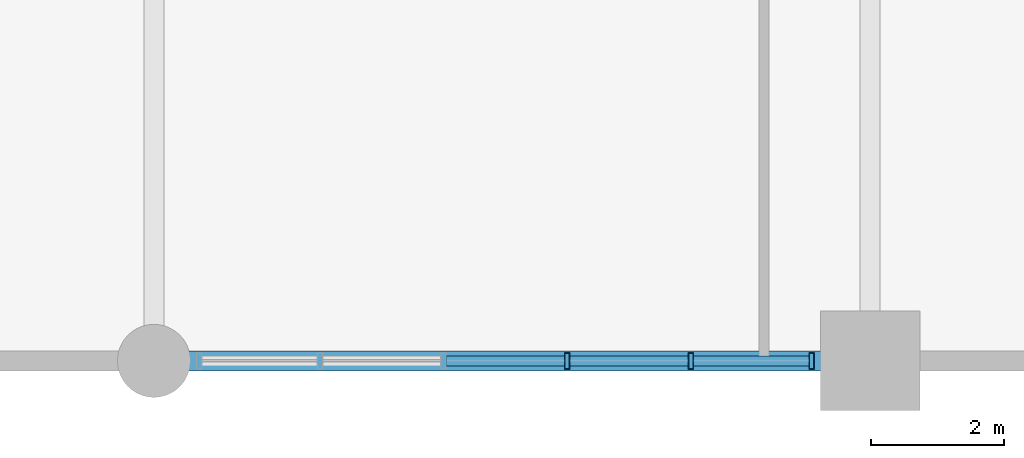
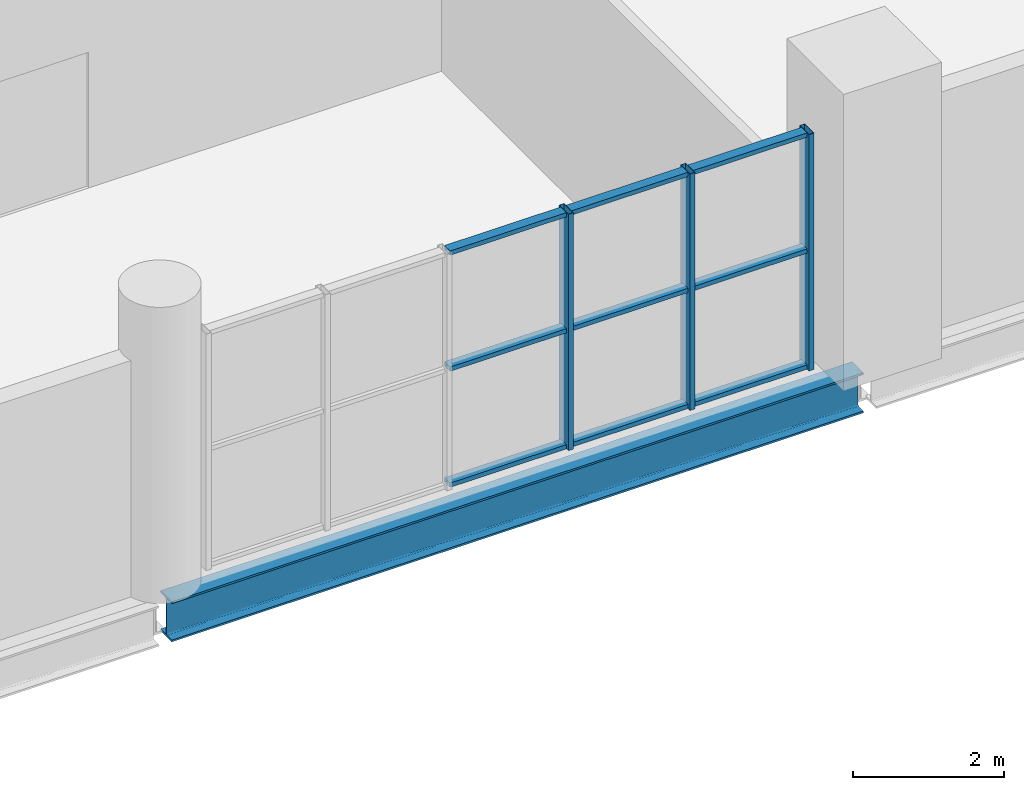
# One storey, part 7 of 16: 12 members, 1 beam, 1 element without a shape of its own.
"""IFC4 building model written with IfcOpenShell, lengths in metres."""

from ifc_helpers import new_model, si_unit, direction, frame, origin, origin_2d, place, context, subcontext, project, spatial, hollow_rectangle, i_section, extrude, material, layer, layer_set, material_profile, profile_set, type_object, element, aggregate, save


model = new_model("IFC4")

# Units and contexts
model_context = context("Model", 3, precision=1e-05, world=origin(), true_north=direction((0.0, 1.0)))
body_context = subcontext(model_context, "Body", "Model", "MODEL_VIEW")
ifc_project = project(units=[si_unit("LENGTHUNIT", "METRE"), si_unit("AREAUNIT", "SQUARE_METRE"), si_unit("VOLUMEUNIT", "CUBIC_METRE"), si_unit("PLANEANGLEUNIT", "RADIAN"), si_unit("MASSUNIT", "GRAM", prefix="KILO")], contexts=[model_context])

# Site, building, storey
site_placement = place(None, origin())
site = spatial("IfcSite", under=ifc_project, at=site_placement, CompositionType="ELEMENT")
building_placement = place(site_placement, origin())
building = spatial("IfcBuilding", under=site, at=building_placement, Name="Solnavia Interchange Tower", CompositionType="ELEMENT")
storey_placement = place(building_placement, frame((0.0, 0.0, 5.39990234375)))
storey = spatial("IfcBuildingStorey", under=building, at=storey_placement, Name="L01", CompositionType="ELEMENT", Elevation=5.39990234375)

# Beam
ifc_material_1 = material(Name="Steel S460", Category="steel")
ifc_material_profile_1 = material_profile(ifc_material_1, i_section(OverallWidth=0.300048828125, OverallDepth=0.64990234375, WebThickness=0.01611328125, FlangeThickness=0.031005859375, FilletRadius=0.027099609375, at=origin_2d()), Name="HEB 650")
ifc_profile_set_1 = profile_set([ifc_material_profile_1], Name="Steel S460")
beam_type = type_object("IfcBeamType", Name="Beam-Girder-HEB650", PredefinedType="BEAM", material=ifc_profile_set_1)
beam_placement = place(storey_placement, frame((54.10009765625, 0.0, -0.625), z_axis=(1.0, 0.0, 0.0), x_axis=(0.0, 1.0, 0.0)))
element("IfcBeam", 1, at=beam_placement, inside=storey, type_object=beam_type, Name="GRD-L01-06 Podium primary girder", PredefinedType="BEAM", context=body_context, shape_type="SweptSolid", body=[
    extrude(i_section(OverallWidth=0.300048828125, OverallDepth=0.64990234375, WebThickness=0.01611328125, FlangeThickness=0.031005859375, FilletRadius=0.027099609375, at=origin_2d()), origin(), (0.0, 0.0, 1.0), 10.599853515625),
])

# Curtain wall, members
ifc_material_2 = material(Name="Aluminium Alloy 6063-T6", Category="aluminium")
ifc_layer = layer(ifc_material_2, 0.27001953125)
ifc_layer_set = layer_set([ifc_layer], Name="Aluminium Alloy 6063-T6")
curtain_wall_type = type_object("IfcCurtainWallType", Name="CurtainWall-Podium-CTW1", PredefinedType="NOTDEFINED", material=ifc_layer_set)
curtain_wall_placement = place(storey_placement, origin())
curtain_wall = element("IfcCurtainWall", 2, at=curtain_wall_placement, inside=storey, type_object=curtain_wall_type, Name="CTW-L01-S06 CTW-1 curtain wall", PredefinedType="NOTDEFINED")
ifc_material_profile_2 = material_profile(ifc_material_2, hollow_rectangle(XDim=0.080078125, YDim=0.25, WallThickness=0.006103515625, at=origin_2d()), Name="ALU 250x80x6")
ifc_profile_set_2 = profile_set([ifc_material_profile_2], Name="Aluminium Alloy 6063-T6")
member_type_1 = type_object("IfcMemberType", Name="CW-Mullion-CWM-1", PredefinedType="MULLION", material=ifc_profile_set_2)
member_1_placement = place(storey_placement, frame((63.919921875, 0.0, 0.0), z_axis=(0.0, 0.0, 1.0), x_axis=(-1.0, 0.0, 0.0)))
member_1 = element("IfcMember", 3, at=member_1_placement, type_object=member_type_1, Name="CTW-1 mullion 1", PredefinedType="MULLION", context=body_context, shape_type="SweptSolid", body=[
    extrude(hollow_rectangle(XDim=0.080078125, YDim=0.25, WallThickness=0.006103515625, at=origin_2d()), origin(), (0.0, 0.0, 1.0), 3.830078125),
])
member_2_placement = place(storey_placement, frame((62.095947265625, 0.0, 0.0), z_axis=(0.0, 0.0, 1.0), x_axis=(-1.0, 0.0, 0.0)))
member_2 = element("IfcMember", 4, at=member_2_placement, type_object=member_type_1, Name="CTW-1 mullion 2", PredefinedType="MULLION", context=body_context, shape_type="SweptSolid", body=[
    extrude(hollow_rectangle(XDim=0.080078125, YDim=0.25, WallThickness=0.006103515625, at=origin_2d()), origin(), (0.0, 0.0, 1.0), 3.830078125),
])
member_3_placement = place(storey_placement, frame((60.23193359375, 0.0, 0.0), z_axis=(0.0, 0.0, 1.0), x_axis=(-1.0, 0.0, 0.0)))
member_3 = element("IfcMember", 5, at=member_3_placement, type_object=member_type_1, Name="CTW-1 mullion 3", PredefinedType="MULLION", context=body_context, shape_type="SweptSolid", body=[
    extrude(hollow_rectangle(XDim=0.080078125, YDim=0.25, WallThickness=0.006103515625, at=origin_2d()), origin(), (0.0, 0.0, 1.0), 3.830078125),
])
ifc_material_profile_3 = material_profile(ifc_material_2, hollow_rectangle(XDim=0.070068359375, YDim=0.14990234375, WallThickness=0.00439453125, at=origin_2d()), Name="ALU 150x70x4.5")
ifc_profile_set_3 = profile_set([ifc_material_profile_3], Name="Aluminium Alloy 6063-T6")
member_type_2 = type_object("IfcMemberType", Name="CW-Transom-CWT-1", PredefinedType="USERDEFINED", material=ifc_profile_set_3)
member_4_placement = place(storey_placement, frame((63.8798828125, 0.0, 0.03515625), z_axis=(-1.0, 0.0, 0.0), x_axis=(0.0, 0.0, 1.0)))
member_4 = element("IfcMember", 6, at=member_4_placement, type_object=member_type_2, Name="CTW-1 transom 1.1", ObjectType="TRANSOM", PredefinedType="USERDEFINED", context=body_context, shape_type="SweptSolid", body=[
    extrude(hollow_rectangle(XDim=0.070068359375, YDim=0.14990234375, WallThickness=0.00439453125, at=origin_2d()), origin(), (0.0, 0.0, 1.0), 1.743896484375),
])
member_5_placement = place(storey_placement, frame((63.8798828125, 0.0, 1.9150390625), z_axis=(-1.0, 0.0, 0.0), x_axis=(0.0, 0.0, 1.0)))
member_5 = element("IfcMember", 7, at=member_5_placement, type_object=member_type_2, Name="CTW-1 transom 1.2", ObjectType="TRANSOM", PredefinedType="USERDEFINED", context=body_context, shape_type="SweptSolid", body=[
    extrude(hollow_rectangle(XDim=0.070068359375, YDim=0.14990234375, WallThickness=0.00439453125, at=origin_2d()), origin(), (0.0, 0.0, 1.0), 1.743896484375),
])
member_6_placement = place(storey_placement, frame((63.8798828125, 0.0, 3.795166015625), z_axis=(-1.0, 0.0, 0.0), x_axis=(0.0, 0.0, 1.0)))
member_6 = element("IfcMember", 8, at=member_6_placement, type_object=member_type_2, Name="CTW-1 transom 1.3", ObjectType="TRANSOM", PredefinedType="USERDEFINED", context=body_context, shape_type="SweptSolid", body=[
    extrude(hollow_rectangle(XDim=0.070068359375, YDim=0.14990234375, WallThickness=0.00439453125, at=origin_2d()), origin(), (0.0, 0.0, 1.0), 1.743896484375),
])
member_7_placement = place(storey_placement, frame((62.055908203125, 0.0, 0.03515625), z_axis=(-1.0, 0.0, 0.0), x_axis=(0.0, 0.0, 1.0)))
member_7 = element("IfcMember", 9, at=member_7_placement, type_object=member_type_2, Name="CTW-1 transom 2.1", ObjectType="TRANSOM", PredefinedType="USERDEFINED", context=body_context, shape_type="SweptSolid", body=[
    extrude(hollow_rectangle(XDim=0.070068359375, YDim=0.14990234375, WallThickness=0.00439453125, at=origin_2d()), origin(), (0.0, 0.0, 1.0), 1.783935546875),
])
member_8_placement = place(storey_placement, frame((62.055908203125, 0.0, 1.9150390625), z_axis=(-1.0, 0.0, 0.0), x_axis=(0.0, 0.0, 1.0)))
member_8 = element("IfcMember", 10, at=member_8_placement, type_object=member_type_2, Name="CTW-1 transom 2.2", ObjectType="TRANSOM", PredefinedType="USERDEFINED", context=body_context, shape_type="SweptSolid", body=[
    extrude(hollow_rectangle(XDim=0.070068359375, YDim=0.14990234375, WallThickness=0.00439453125, at=origin_2d()), origin(), (0.0, 0.0, 1.0), 1.783935546875),
])
member_9_placement = place(storey_placement, frame((62.055908203125, 0.0, 3.795166015625), z_axis=(-1.0, 0.0, 0.0), x_axis=(0.0, 0.0, 1.0)))
member_9 = element("IfcMember", 11, at=member_9_placement, type_object=member_type_2, Name="CTW-1 transom 2.3", ObjectType="TRANSOM", PredefinedType="USERDEFINED", context=body_context, shape_type="SweptSolid", body=[
    extrude(hollow_rectangle(XDim=0.070068359375, YDim=0.14990234375, WallThickness=0.00439453125, at=origin_2d()), origin(), (0.0, 0.0, 1.0), 1.783935546875),
])
member_10_placement = place(storey_placement, frame((60.19189453125, 0.0, 0.03515625), z_axis=(-1.0, 0.0, 0.0), x_axis=(0.0, 0.0, 1.0)))
member_10 = element("IfcMember", 12, at=member_10_placement, type_object=member_type_2, Name="CTW-1 transom 3.1", ObjectType="TRANSOM", PredefinedType="USERDEFINED", context=body_context, shape_type="SweptSolid", body=[
    extrude(hollow_rectangle(XDim=0.070068359375, YDim=0.14990234375, WallThickness=0.00439453125, at=origin_2d()), origin(), (0.0, 0.0, 1.0), 1.783935546875),
])
member_11_placement = place(storey_placement, frame((60.19189453125, 0.0, 1.9150390625), z_axis=(-1.0, 0.0, 0.0), x_axis=(0.0, 0.0, 1.0)))
member_11 = element("IfcMember", 13, at=member_11_placement, type_object=member_type_2, Name="CTW-1 transom 3.2", ObjectType="TRANSOM", PredefinedType="USERDEFINED", context=body_context, shape_type="SweptSolid", body=[
    extrude(hollow_rectangle(XDim=0.070068359375, YDim=0.14990234375, WallThickness=0.00439453125, at=origin_2d()), origin(), (0.0, 0.0, 1.0), 1.783935546875),
])
member_12_placement = place(storey_placement, frame((60.19189453125, 0.0, 3.795166015625), z_axis=(-1.0, 0.0, 0.0), x_axis=(0.0, 0.0, 1.0)))
member_12 = element("IfcMember", 14, at=member_12_placement, type_object=member_type_2, Name="CTW-1 transom 3.3", ObjectType="TRANSOM", PredefinedType="USERDEFINED", context=body_context, shape_type="SweptSolid", body=[
    extrude(hollow_rectangle(XDim=0.070068359375, YDim=0.14990234375, WallThickness=0.00439453125, at=origin_2d()), origin(), (0.0, 0.0, 1.0), 1.783935546875),
])
aggregate(curtain_wall, [member_1, member_2, member_3, member_4, member_5, member_6, member_7, member_8, member_9, member_10, member_11, member_12])

save(model, "model.ifc")
